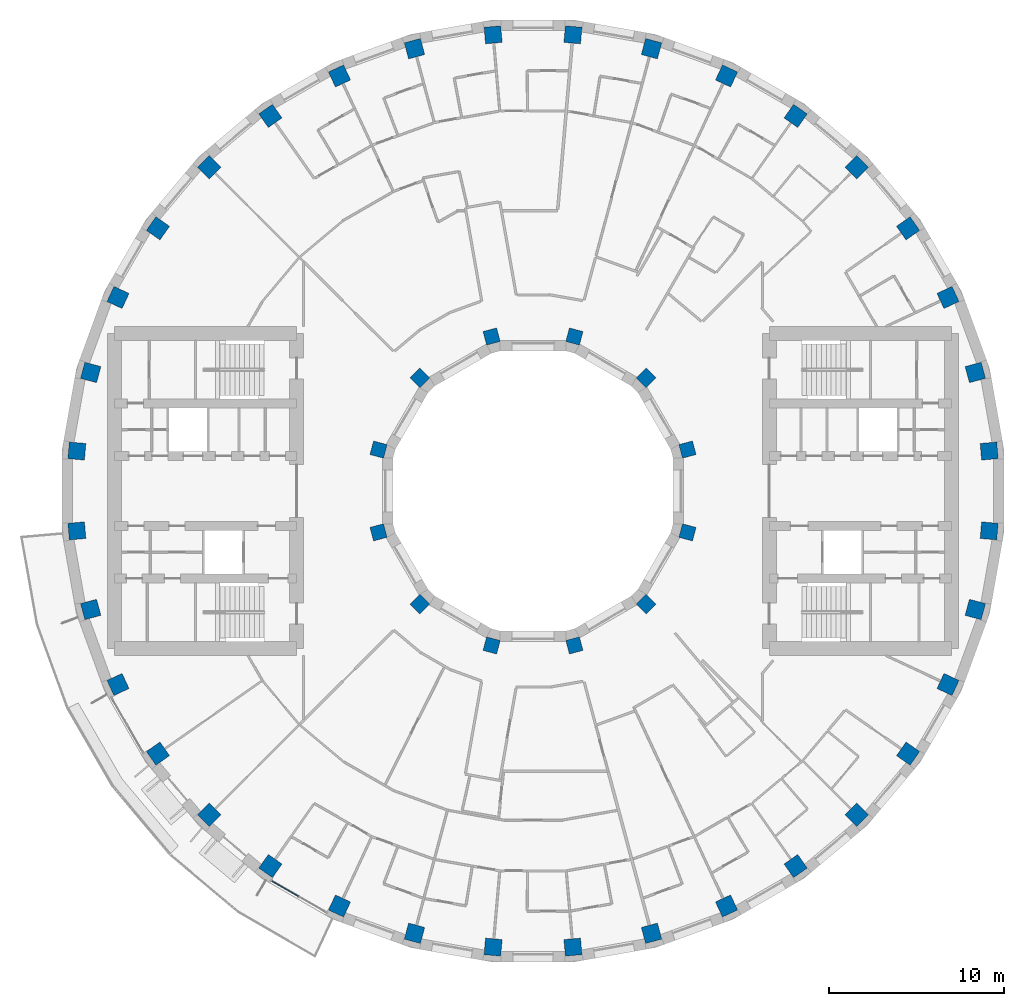
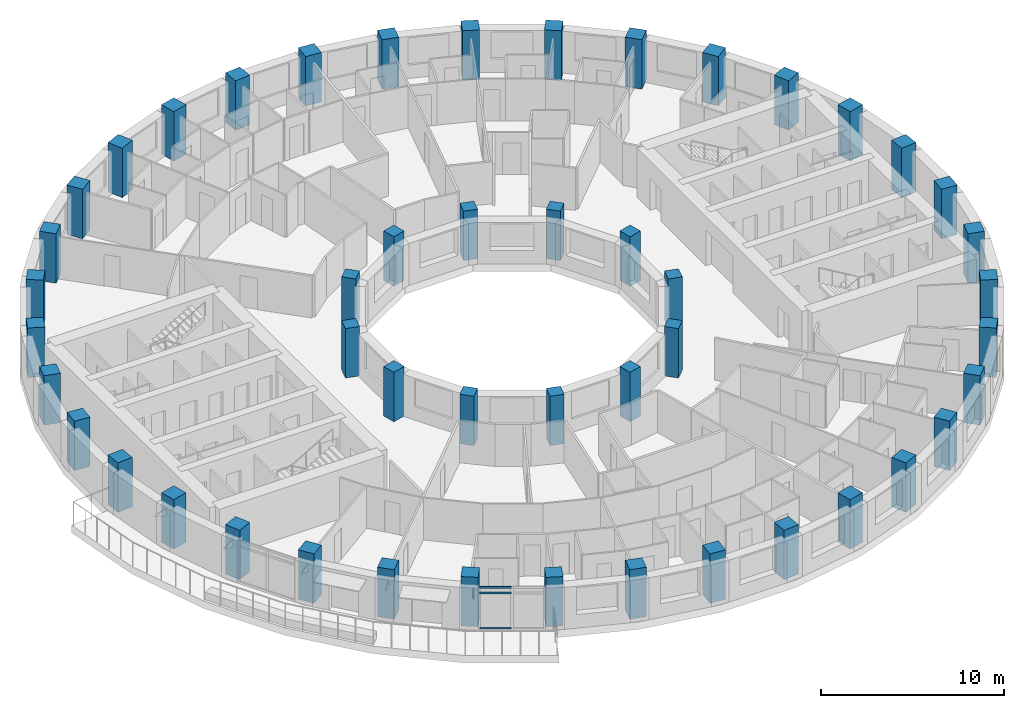
# One storey, part 1 of 16: 48 columns, 3 members, 1 element without a shape of its own.
"""IFC4 building model written with IfcOpenShell, lengths in metres."""

from ifc_helpers import new_model, si_unit, direction, frame, origin, origin_2d, place, context, subcontext, project, spatial, rectangle, extrude, material, layer, layer_set, material_profile, profile_set, type_object, element, aggregate, save


model = new_model("IFC4")

# Units and contexts
model_context = context("Model", 3, precision=1e-05, world=origin(), true_north=direction((0.0, 1.0)))
body_context = subcontext(model_context, "Body", "Model", "MODEL_VIEW")
ifc_project = project(units=[si_unit("LENGTHUNIT", "METRE"), si_unit("AREAUNIT", "SQUARE_METRE"), si_unit("VOLUMEUNIT", "CUBIC_METRE"), si_unit("PLANEANGLEUNIT", "RADIAN"), si_unit("MASSUNIT", "GRAM", prefix="KILO")], contexts=[model_context])

# Site, building, storey
site_placement = place(None, origin())
site = spatial("IfcSite", under=ifc_project, at=site_placement, CompositionType="ELEMENT")
building_placement = place(site_placement, origin())
building = spatial("IfcBuilding", under=site, at=building_placement, Name="Saqina Gate Tower", CompositionType="ELEMENT")
storey_placement = place(building_placement, frame((0.0, 0.0, 124.89990234375)))
storey = spatial("IfcBuildingStorey", under=building, at=storey_placement, Name="L35", CompositionType="ELEMENT", Elevation=124.89990234375)

# Columns
ifc_material_1 = material(Name="Concrete C70/85", Category="concrete")
ifc_material_profile_1 = material_profile(ifc_material_1, rectangle(XDim=0.800048828125, YDim=0.800048828125, at=origin_2d()), Name="RC 800x800")
ifc_profile_set_1 = profile_set([ifc_material_profile_1], Name="Concrete C70/85")
column_type_1 = type_object("IfcColumnType", Name="STR-COL-IN-B", PredefinedType="COLUMN", material=ifc_profile_set_1)
for number, where, z_axis, x_axis, name in (
    (1, (8.821044921875, 2.363525390625, 0.0), (0.0, 0.0, 1.0), (0.965925826289, 0.258819045103, 0.0), "L35-ICL01"),
    (2, (6.45751953125, 6.45751953125, 0.0), (0.0, 0.0, 1.0), (0.707106781187, 0.707106781187, 0.0), "L35-ICL02"),
    (3, (2.363525390625, 8.821044921875, 0.0), (0.0, 0.0, 1.0), (0.258819045103, 0.965925826289, 0.0), "L35-ICL03"),
    (4, (-2.363525390625, 8.821044921875, 0.0), (0.0, 0.0, 1.0), (-0.258819045103, 0.965925826289, 0.0), "L35-ICL04"),
    (5, (-6.45751953125, 6.45751953125, 0.0), (0.0, 0.0, 1.0), (-0.707106781187, 0.707106781187, 0.0), "L35-ICL05"),
    (6, (-8.821044921875, 2.363525390625, 0.0), (0.0, 0.0, 1.0), (-0.965925826289, 0.258819045103, 0.0), "L35-ICL06"),
    (7, (-8.821044921875, -2.363525390625, 0.0), (0.0, 0.0, 1.0), (-0.965925826289, -0.258819045103, 0.0), "L35-ICL07"),
    (8, (-6.45751953125, -6.45751953125, 0.0), (0.0, 0.0, 1.0), (-0.707106781187, -0.707106781187, 0.0), "L35-ICL08"),
    (9, (-2.363525390625, -8.821044921875, 0.0), (0.0, 0.0, 1.0), (-0.258819045103, -0.965925826289, 0.0), "L35-ICL09"),
    (10, (2.363525390625, -8.821044921875, 0.0), (0.0, 0.0, 1.0), (0.258819045103, -0.965925826289, 0.0), "L35-ICL10"),
    (11, (6.45751953125, -6.45751953125, 0.0), (0.0, 0.0, 1.0), (0.707106781187, -0.707106781187, 0.0), "L35-ICL11"),
    (12, (8.821044921875, -2.363525390625, 0.0), (0.0, 0.0, 1.0), (0.965925826289, -0.258819045103, 0.0), "L35-ICL12"),
):
    element("IfcColumn", number, at=place(storey_placement, frame(where, z_axis=z_axis, x_axis=x_axis)), inside=storey, type_object=column_type_1, Name=name, PredefinedType="COLUMN", context=body_context, shape_type="SweptSolid", body=[
        extrude(rectangle(XDim=0.800048828125, YDim=0.800048828125, at=origin_2d()), origin(), (0.0, 0.0, 1.0), 3.300048828125),
    ])
ifc_material_2 = material(Name="Concrete C70/85", Category="concrete")
ifc_material_profile_2 = material_profile(ifc_material_2, rectangle(XDim=0.949951171875, YDim=0.949951171875, at=origin_2d()), Name="RC 950x950")
ifc_profile_set_2 = profile_set([ifc_material_profile_2], Name="Concrete C70/85")
column_type_2 = type_object("IfcColumnType", Name="STR-COL-OUT-B", PredefinedType="COLUMN", material=ifc_profile_set_2)
for number, where, z_axis, x_axis, name in (
    (13, (26.050537109375, 2.279052734375, 0.0), (0.0, 0.0, 1.0), (0.996194698092, 0.087155742748, 0.0), "L35-COL01"),
    (14, (25.259033203125, 6.76806640625, 0.0), (0.0, 0.0, 1.0), (0.965925826289, 0.258819045103, 0.0), "L35-COL02"),
    (15, (23.699951171875, 11.051513671875, 0.0), (0.0, 0.0, 1.0), (0.906307787037, 0.422618261741, 0.0), "L35-COL03"),
    (16, (21.4208984375, 14.9990234375, 0.0), (0.0, 0.0, 1.0), (0.819152044289, 0.573576436351, 0.0), "L35-COL04"),
    (17, (18.49072265625, 18.49072265625, 0.0), (0.0, 0.0, 1.0), (0.707106781187, 0.707106781187, 0.0), "L35-COL05"),
    (18, (14.9990234375, 21.4208984375, 0.0), (0.0, 0.0, 1.0), (0.573576436351, 0.819152044289, 0.0), "L35-COL06"),
    (19, (11.051513671875, 23.699951171875, 0.0), (0.0, 0.0, 1.0), (0.422618261741, 0.906307787037, 0.0), "L35-COL07"),
    (20, (6.76806640625, 25.259033203125, 0.0), (0.0, 0.0, 1.0), (0.258819045103, 0.965925826289, 0.0), "L35-COL08"),
    (21, (2.279052734375, 26.050537109375, 0.0), (0.0, 0.0, 1.0), (0.087155742748, 0.996194698092, 0.0), "L35-COL09"),
    (22, (-2.279052734375, 26.050537109375, 0.0), (0.0, 0.0, 1.0), (-0.087155742748, 0.996194698092, 0.0), "L35-COL10"),
    (23, (-6.76806640625, 25.259033203125, 0.0), (0.0, 0.0, 1.0), (-0.258819045103, 0.965925826289, 0.0), "L35-COL11"),
    (24, (-11.051513671875, 23.699951171875, 0.0), (0.0, 0.0, 1.0), (-0.422618261741, 0.906307787037, 0.0), "L35-COL12"),
    (25, (-14.9990234375, 21.4208984375, 0.0), (0.0, 0.0, 1.0), (-0.573576436351, 0.819152044289, 0.0), "L35-COL13"),
    (26, (-18.49072265625, 18.49072265625, 0.0), (0.0, 0.0, 1.0), (-0.707106781187, 0.707106781187, 0.0), "L35-COL14"),
    (27, (-21.4208984375, 14.9990234375, 0.0), (0.0, 0.0, 1.0), (-0.819152044289, 0.573576436351, 0.0), "L35-COL15"),
    (28, (-23.699951171875, 11.051513671875, 0.0), (0.0, 0.0, 1.0), (-0.906307787037, 0.422618261741, 0.0), "L35-COL16"),
    (29, (-25.259033203125, 6.76806640625, 0.0), (0.0, 0.0, 1.0), (-0.965925826289, 0.258819045103, 0.0), "L35-COL17"),
    (30, (-26.050537109375, 2.279052734375, 0.0), (0.0, 0.0, 1.0), (-0.996194698092, 0.087155742748, 0.0), "L35-COL18"),
    (31, (-26.050537109375, -2.279052734375, 0.0), (0.0, 0.0, 1.0), (-0.996194698092, -0.087155742748, 0.0), "L35-COL19"),
    (32, (-25.259033203125, -6.76806640625, 0.0), (0.0, 0.0, 1.0), (-0.965925826289, -0.258819045103, 0.0), "L35-COL20"),
    (33, (-23.699951171875, -11.051513671875, 0.0), (0.0, 0.0, 1.0), (-0.906307787037, -0.422618261741, 0.0), "L35-COL21"),
    (34, (-21.4208984375, -14.9990234375, 0.0), (0.0, 0.0, 1.0), (-0.819152044289, -0.573576436351, 0.0), "L35-COL22"),
    (35, (-18.49072265625, -18.49072265625, 0.0), (0.0, 0.0, 1.0), (-0.707106781187, -0.707106781187, 0.0), "L35-COL23"),
    (36, (-14.9990234375, -21.4208984375, 0.0), (0.0, 0.0, 1.0), (-0.573576436351, -0.819152044289, 0.0), "L35-COL24"),
    (37, (-11.051513671875, -23.699951171875, 0.0), (0.0, 0.0, 1.0), (-0.422618261741, -0.906307787037, 0.0), "L35-COL25"),
    (38, (-6.76806640625, -25.259033203125, 0.0), (0.0, 0.0, 1.0), (-0.258819045103, -0.965925826289, 0.0), "L35-COL26"),
    (39, (-2.279052734375, -26.050537109375, 0.0), (0.0, 0.0, 1.0), (-0.087155742748, -0.996194698092, 0.0), "L35-COL27"),
    (40, (2.279052734375, -26.050537109375, 0.0), (0.0, 0.0, 1.0), (0.087155742748, -0.996194698092, 0.0), "L35-COL28"),
    (41, (6.76806640625, -25.259033203125, 0.0), (0.0, 0.0, 1.0), (0.258819045103, -0.965925826289, 0.0), "L35-COL29"),
    (42, (11.051513671875, -23.699951171875, 0.0), (0.0, 0.0, 1.0), (0.422618261741, -0.906307787037, 0.0), "L35-COL30"),
    (43, (14.9990234375, -21.4208984375, 0.0), (0.0, 0.0, 1.0), (0.573576436351, -0.819152044289, 0.0), "L35-COL31"),
    (44, (18.49072265625, -18.49072265625, 0.0), (0.0, 0.0, 1.0), (0.707106781187, -0.707106781187, 0.0), "L35-COL32"),
    (45, (21.4208984375, -14.9990234375, 0.0), (0.0, 0.0, 1.0), (0.819152044289, -0.573576436351, 0.0), "L35-COL33"),
    (46, (23.699951171875, -11.051513671875, 0.0), (0.0, 0.0, 1.0), (0.906307787037, -0.422618261741, 0.0), "L35-COL34"),
    (47, (25.259033203125, -6.76806640625, 0.0), (0.0, 0.0, 1.0), (0.965925826289, -0.258819045103, 0.0), "L35-COL35"),
    (48, (26.050537109375, -2.279052734375, 0.0), (0.0, 0.0, 1.0), (0.996194698092, -0.087155742748, 0.0), "L35-COL36"),
):
    element("IfcColumn", number, at=place(storey_placement, frame(where, z_axis=z_axis, x_axis=x_axis)), inside=storey, type_object=column_type_2, Name=name, PredefinedType="COLUMN", context=body_context, shape_type="SweptSolid", body=[
        extrude(rectangle(XDim=0.949951171875, YDim=0.949951171875, at=origin_2d()), origin(), (0.0, 0.0, 1.0), 3.300048828125),
    ])

# Curtain wall, members
ifc_material_3 = material(Name="Aluminium glazing", Category="aluminium")
ifc_layer = layer(ifc_material_3, 0.159912109375)
ifc_layer_set = layer_set([ifc_layer], Name="CWT-4")
curtain_wall_type = type_object("IfcCurtainWallType", Name="CWT-4", PredefinedType="NOTDEFINED", material=ifc_layer_set)
curtain_wall_placement = place(storey_placement, origin())
curtain_wall = element("IfcCurtainWall", 49, at=curtain_wall_placement, inside=storey, type_object=curtain_wall_type, Name="Terrace lounge glazing facet 24", PredefinedType="NOTDEFINED")
ifc_material_4 = material(Name="Aluminium", Category="aluminium")
ifc_material_profile_3 = material_profile(ifc_material_4, rectangle(XDim=0.06005859375, YDim=0.1201171875, at=origin_2d()), Name="Aluminium 60x120")
ifc_profile_set_3 = profile_set([ifc_material_profile_3], Name="Aluminium")
member_type = type_object("IfcMemberType", Name="CWT-4T", PredefinedType="USERDEFINED", material=ifc_profile_set_3)
member_1_placement = place(storey_placement, frame((-14.901123046875, -22.281982421875, 0.030029296875), z_axis=(0.866007364299, -0.500031244004, 0.0), x_axis=(0.500031244004, 0.866007364299, 0.0)))
member_1 = element("IfcMember", 50, at=member_1_placement, type_object=member_type, Name="CW4-24 transom 1.1", ObjectType="TRANSOM", PredefinedType="USERDEFINED", context=body_context, shape_type="SweptSolid", body=[
    extrude(rectangle(XDim=0.06005859375, YDim=0.1201171875, at=origin_2d()), origin(), (0.0, 0.0, 1.0), 1.73388671875),
])
member_2_placement = place(storey_placement, frame((-14.901123046875, -22.281982421875, 2.400146484375), z_axis=(0.866007364299, -0.500031244004, 0.0), x_axis=(0.500031244004, 0.866007364299, 0.0)))
member_2 = element("IfcMember", 51, at=member_2_placement, type_object=member_type, Name="CW4-24 transom 1.2", ObjectType="TRANSOM", PredefinedType="USERDEFINED", context=body_context, shape_type="SweptSolid", body=[
    extrude(rectangle(XDim=0.06005859375, YDim=0.1201171875, at=origin_2d()), origin(), (0.0, 0.0, 1.0), 1.73388671875),
])
member_3_placement = place(storey_placement, frame((-14.901123046875, -22.281982421875, 2.77001953125), z_axis=(0.866007364299, -0.500031244004, 0.0), x_axis=(0.500031244004, 0.866007364299, 0.0)))
member_3 = element("IfcMember", 52, at=member_3_placement, type_object=member_type, Name="CW4-24 transom 1.3", ObjectType="TRANSOM", PredefinedType="USERDEFINED", context=body_context, shape_type="SweptSolid", body=[
    extrude(rectangle(XDim=0.06005859375, YDim=0.1201171875, at=origin_2d()), origin(), (0.0, 0.0, 1.0), 1.73388671875),
])
aggregate(curtain_wall, [member_1, member_2, member_3])

save(model, "model.ifc")
